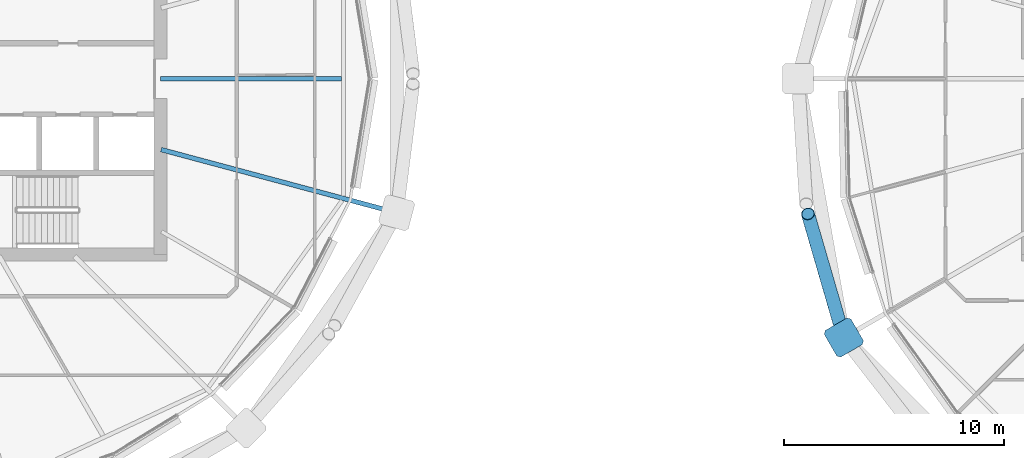
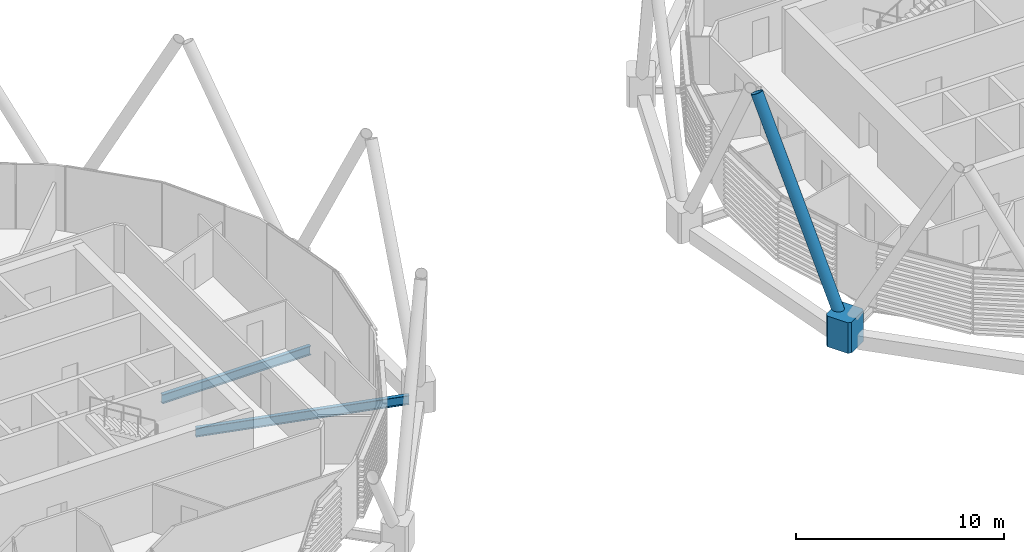
# One storey, part 7 of 36: 2 beams, 2 members.
"""IFC4 building model written with IfcOpenShell, lengths in metres."""

from ifc_helpers import new_model, si_unit, direction, frame, origin, origin_2d, place, context, subcontext, project, spatial, polyline, hollow_circle, i_section, outline, extrude, material, material_profile, profile_set, type_object, element, save


model = new_model("IFC4")

# Units and contexts
model_context = context("Model", 3, precision=1e-05, world=origin(), true_north=direction((0.0, 1.0)))
body_context = subcontext(model_context, "Body", "Model", "MODEL_VIEW")
ifc_project = project(units=[si_unit("LENGTHUNIT", "METRE"), si_unit("AREAUNIT", "SQUARE_METRE"), si_unit("VOLUMEUNIT", "CUBIC_METRE"), si_unit("PLANEANGLEUNIT", "RADIAN"), si_unit("MASSUNIT", "GRAM", prefix="KILO")], contexts=[model_context])

# Site, building, storey
site_placement = place(None, origin())
site = spatial("IfcSite", under=ifc_project, at=site_placement, CompositionType="ELEMENT")
building_placement = place(site_placement, origin())
building = spatial("IfcBuilding", under=site, at=building_placement, Name="Rimbun Link Towers", CompositionType="ELEMENT")
storey_placement = place(building_placement, frame((0.0, 0.0, 193.10009765625)))
storey = spatial("IfcBuildingStorey", under=building, at=storey_placement, Name="L47", CompositionType="ELEMENT", Elevation=193.10009765625)

# Members
ifc_material_1 = material(Name="Steel S355J2H", Category="steel")
ifc_material_profile_1 = material_profile(ifc_material_1, hollow_circle(Radius=0.3046875, WallThickness=0.02490234375, at=origin_2d()), Name="Diagrid diagonal CHS 610x25")
ifc_profile_set_1 = profile_set([ifc_material_profile_1], Name="Steel S355J2H")
member_type_1 = type_object("IfcMemberType", Name="Diagrid diagonal CHS 610x25", PredefinedType="BRACE", material=ifc_profile_set_1)
member_1_placement = place(storey_placement, frame((11.287109375, -11.5498046875, 0.44091796875), z_axis=(-0.13146530095, 0.452934087612, 0.881797928624), x_axis=(-0.9603642172, -0.278748220303, 0.0)))
element("IfcMember", 1, at=member_1_placement, inside=storey, type_object=member_type_1, Name="Diagrid diagonal T2 L47-L50 11a", PredefinedType="BRACE", context=body_context, shape_type="SweptSolid", body=[
    extrude(hollow_circle(Radius=0.3046875, WallThickness=0.02490234375, at=origin_2d()), origin(), (0.0, 0.0, 1.0), 11.927978515625),
])
ifc_material_2 = material(Name="Cast steel G20Mn5+QT, Rp0.2 300 MPa", Category="steel")
ifc_material_profile_2 = material_profile(ifc_material_2, outline(polyline([(0.699951171875, -0.570068359375), (0.699951171875, 0.570068359375), (0.570068359375, 0.699951171875), (-0.570068359375, 0.699951171875), (-0.699951171875, 0.570068359375), (-0.699951171875, -0.570068359375), (-0.570068359375, -0.699951171875), (0.570068359375, -0.699951171875), (0.699951171875, -0.570068359375)])), Name="NODE 1400x1400")
ifc_profile_set_2 = profile_set([ifc_material_profile_2], Name="Cast steel G20Mn5+QT, Rp0.2 300 MPa")
member_type_2 = type_object("IfcMemberType", Name="Diagrid node cast 1400", PredefinedType="USERDEFINED", material=ifc_profile_set_2)
member_2_placement = place(storey_placement, frame((11.352783203125, -11.7763671875, -0.900146484375), z_axis=(0.0, 0.0, 1.0), x_axis=(-0.866025403784, -0.5, 0.0)))
element("IfcMember", 2, at=member_2_placement, inside=storey, type_object=member_type_2, Name="Diagrid node L47 11", ObjectType="Diagrid node", PredefinedType="USERDEFINED", context=body_context, shape_type="SweptSolid", body=[
    extrude(outline(polyline([(0.699951171875, -0.570068359375), (0.699951171875, 0.570068359375), (0.570068359375, 0.699951171875), (-0.570068359375, 0.699951171875), (-0.699951171875, 0.570068359375), (-0.699951171875, -0.570068359375), (-0.570068359375, -0.699951171875), (0.570068359375, -0.699951171875), (0.699951171875, -0.570068359375)])), origin(), (0.0, 0.0, 1.0), 1.800048828125),
])

# Beams
ifc_material_3 = material(Name="Steel S355J2", Category="steel")
ifc_material_profile_3 = material_profile(ifc_material_3, i_section(OverallWidth=0.209228515625, OverallDepth=0.533203125, WebThickness=0.010009765625, FlangeThickness=0.015625, at=origin_2d()), Name="UB 533x210x92")
ifc_profile_set_3 = profile_set([ifc_material_profile_3], Name="Steel S355J2")
beam_type = type_object("IfcBeamType", Name="UB 533x210x92", PredefinedType="BEAM", material=ifc_profile_set_3)
beam_1_placement = place(storey_placement, frame((-19.7490234375, 0.0, -0.416748046875), z_axis=(1.0, 0.0, 0.0), x_axis=(0.0, 1.0, 0.0)))
element("IfcBeam", 3, at=beam_1_placement, inside=storey, type_object=beam_type, Name="Radial beam T1 L47 00", PredefinedType="BEAM", context=body_context, shape_type="SweptSolid", body=[
    extrude(i_section(OverallWidth=0.209228515625, OverallDepth=0.533203125, WebThickness=0.010009765625, FlangeThickness=0.015625, at=origin_2d()), origin(), (0.0, 0.0, 1.0), 8.23876953125),
])
beam_2_placement = place(storey_placement, frame((-19.721923828125, -3.222900390625, -0.416748046875), z_axis=(0.965923069242, -0.258829334322, 0.0), x_axis=(0.258829334322, 0.965923069242, 0.0)))
element("IfcBeam", 4, at=beam_2_placement, inside=storey, type_object=beam_type, Name="Radial beam T1 L47 23", PredefinedType="BEAM", context=body_context, shape_type="SweptSolid", body=[
    extrude(i_section(OverallWidth=0.209228515625, OverallDepth=0.533203125, WebThickness=0.010009765625, FlangeThickness=0.015625, at=origin_2d()), origin(), (0.0, 0.0, 1.0), 10.600341796875),
])

save(model, "model.ifc")
